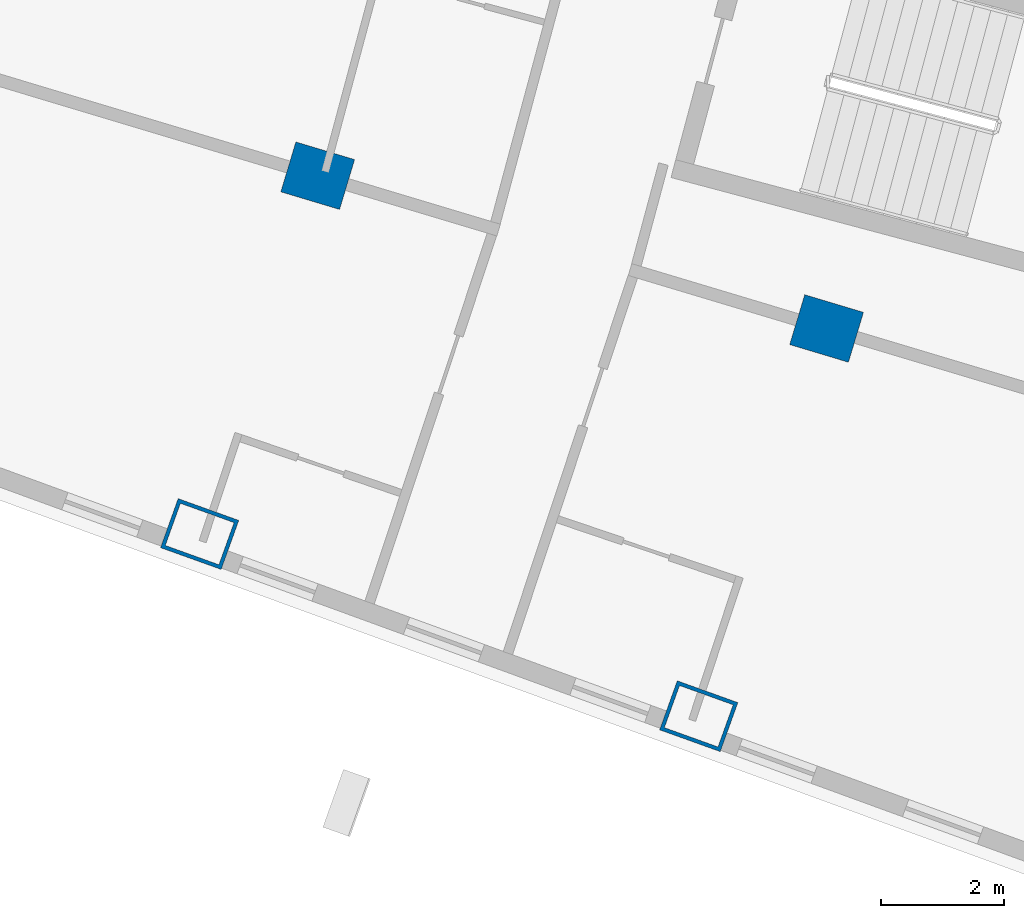
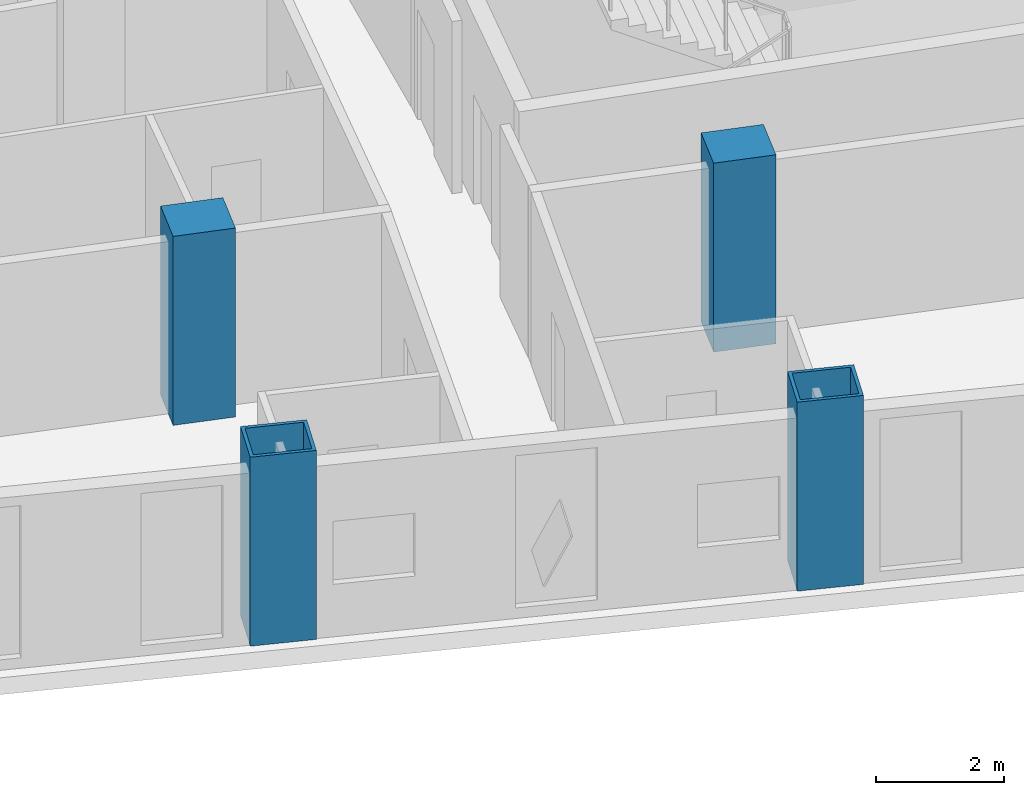
# One storey, part 2 of 25: 4 columns.
"""IFC4 building model written with IfcOpenShell, lengths in metres."""

from ifc_helpers import new_model, si_unit, direction, frame, origin, origin_2d, place, context, subcontext, project, spatial, rectangle, hollow_rectangle, extrude, material, material_profile, profile_set, type_object, element, save


model = new_model("IFC4")

# Units and contexts
model_context = context("Model", 3, precision=1e-05, world=origin(), true_north=direction((0.0, 1.0)))
body_context = subcontext(model_context, "Body", "Model", "MODEL_VIEW")
ifc_project = project(units=[si_unit("LENGTHUNIT", "METRE"), si_unit("AREAUNIT", "SQUARE_METRE"), si_unit("VOLUMEUNIT", "CUBIC_METRE"), si_unit("PLANEANGLEUNIT", "RADIAN"), si_unit("MASSUNIT", "GRAM", prefix="KILO")], contexts=[model_context])

# Site, building, storey
site_placement = place(None, origin())
site = spatial("IfcSite", under=ifc_project, at=site_placement, CompositionType="ELEMENT")
building_placement = place(site_placement, origin())
building = spatial("IfcBuilding", under=site, at=building_placement, Name="Alderwake Tower", CompositionType="ELEMENT")
storey_placement = place(building_placement, frame((0.0, 0.0, 89.60009765625)))
storey = spatial("IfcBuildingStorey", under=building, at=storey_placement, Name="L21", CompositionType="ELEMENT", Elevation=89.60009765625)

# Columns
ifc_material_1 = material(Name="Steel ASTM A572 Grade 50 concrete filled C70/85", Category="concrete")
ifc_material_profile_1 = material_profile(ifc_material_1, hollow_rectangle(XDim=0.85009765625, YDim=1.050048828125, WallThickness=0.06005859375, at=origin_2d()), Name="BOX 1050X850X60")
ifc_profile_set_1 = profile_set([ifc_material_profile_1], Name="Steel ASTM A572 Grade 50 concrete filled C70/85")
column_type_1 = type_object("IfcColumnType", Name="End column Z2", PredefinedType="COLUMN", material=ifc_profile_set_1)
for number, where, z_axis, x_axis, name in (
    (1, (28.983642578125, 21.856689453125, 0.0), (0.0, 0.0, 1.0), (0.338026774049, 0.941136493834, 0.0), "Column R01-C2"),
    (2, (37.125, 18.884765625, 0.0), (0.0, 0.0, 1.0), (0.338365126362, 0.941014899596, 0.0), "Column R01-C3"),
):
    element("IfcColumn", number, at=place(storey_placement, frame(where, z_axis=z_axis, x_axis=x_axis)), inside=storey, type_object=column_type_1, Name=name, PredefinedType="COLUMN", context=body_context, shape_type="SweptSolid", body=[
        extrude(hollow_rectangle(XDim=0.85009765625, YDim=1.050048828125, WallThickness=0.06005859375, at=origin_2d()), origin(), (0.0, 0.0, 1.0), 3.599853515625),
    ])
ifc_material_2 = material(Name="Concrete C70/85", Category="concrete")
ifc_material_profile_2 = material_profile(ifc_material_2, rectangle(XDim=0.85009765625, YDim=1.0, at=origin_2d()), Name="RC 1000X850")
ifc_profile_set_2 = profile_set([ifc_material_profile_2], Name="Concrete C70/85")
column_type_2 = type_object("IfcColumnType", Name="Interior column Z2", PredefinedType="COLUMN", material=ifc_profile_set_2)
for number, where, z_axis, x_axis, name in (
    (3, (30.9091796875, 27.701904296875, 0.0), (0.0, 0.0, 1.0), (0.287549418125, 0.957765802342, 0.0), "Column R02-C2"),
    (4, (39.2099609375, 25.209716796875, 0.0), (0.0, 0.0, 1.0), (0.287549418125, 0.957765802342, 0.0), "Column R02-C3"),
):
    element("IfcColumn", number, at=place(storey_placement, frame(where, z_axis=z_axis, x_axis=x_axis)), inside=storey, type_object=column_type_2, Name=name, PredefinedType="COLUMN", context=body_context, shape_type="SweptSolid", body=[
        extrude(rectangle(XDim=0.85009765625, YDim=1.0, at=origin_2d()), origin(), (0.0, 0.0, 1.0), 3.599853515625),
    ])

save(model, "model.ifc")
